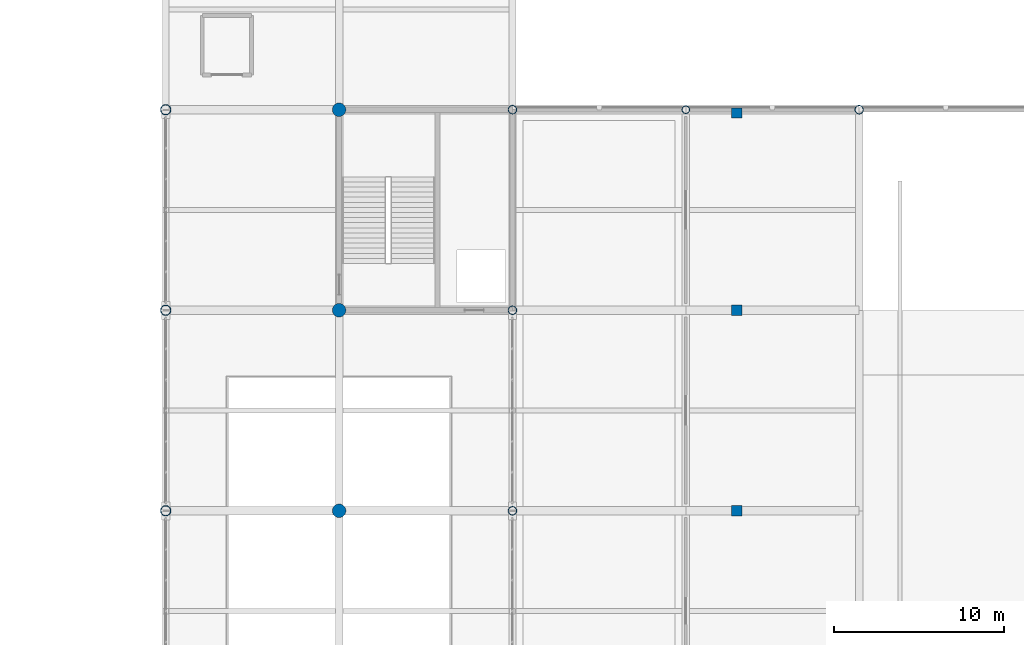
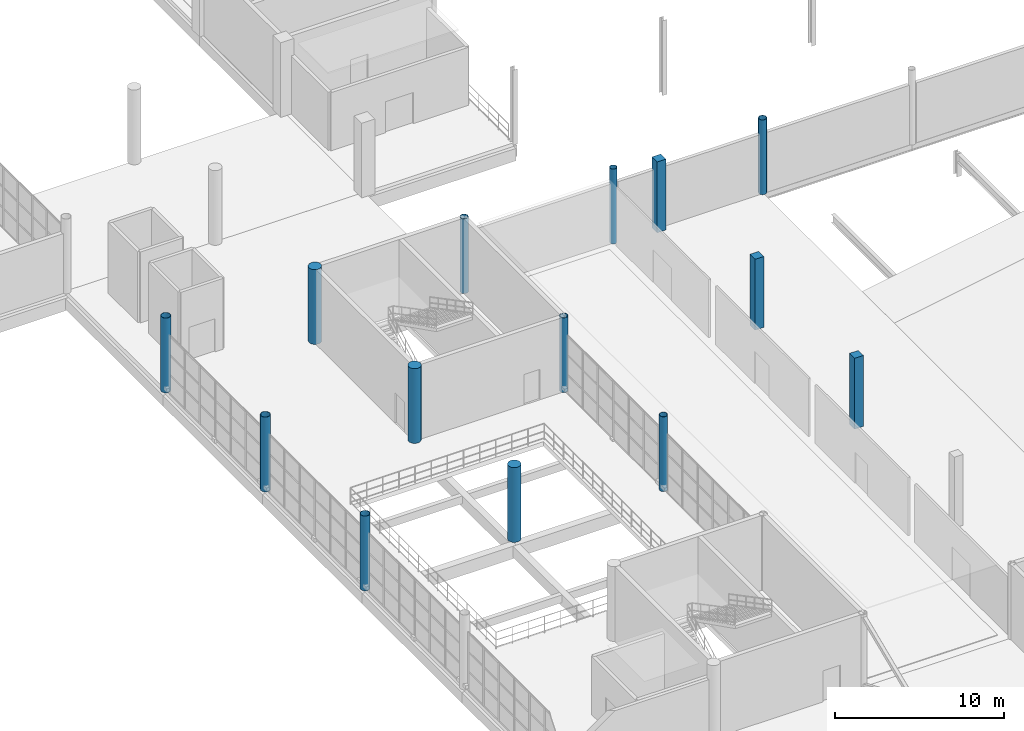
# One storey, part 13 of 175: 14 columns.
"""IFC4 building model written with IfcOpenShell, lengths in metres."""

from ifc_helpers import new_model, si_unit, direction, frame, origin, origin_2d, place, context, subcontext, project, spatial, rectangle, circle, hollow_circle, extrude, material, material_profile, profile_set, type_object, element, save


model = new_model("IFC4")

# Units and contexts
model_context = context("Model", 3, precision=1e-05, world=origin(), true_north=direction((0.0, 1.0)))
body_context = subcontext(model_context, "Body", "Model", "MODEL_VIEW")
ifc_project = project(units=[si_unit("LENGTHUNIT", "METRE"), si_unit("AREAUNIT", "SQUARE_METRE"), si_unit("VOLUMEUNIT", "CUBIC_METRE"), si_unit("PLANEANGLEUNIT", "RADIAN"), si_unit("MASSUNIT", "GRAM", prefix="KILO")], contexts=[model_context])

# Site, building, storey
site_placement = place(None, origin())
site = spatial("IfcSite", under=ifc_project, at=site_placement, CompositionType="ELEMENT")
building_placement = place(site_placement, origin())
building = spatial("IfcBuilding", under=site, at=building_placement, Name="Brelvane Convention Centre", CompositionType="ELEMENT")
storey_placement = place(building_placement, frame((0.0, 0.0, 5.39990234375)))
storey = spatial("IfcBuildingStorey", under=building, at=storey_placement, Name="L01", CompositionType="ELEMENT", Elevation=5.39990234375)

# Columns
ifc_material_1 = material(Name="Concrete M50", Category="concrete")
ifc_material_profile_1 = material_profile(ifc_material_1, rectangle(XDim=0.60009765625, YDim=0.60009765625, at=origin_2d()), Name="RC 600x600")
ifc_profile_set_1 = profile_set([ifc_material_profile_1], Name="Concrete M50")
column_type_1 = type_object("IfcColumnType", Name="RC Column C-RC4 (RC 600x600)", PredefinedType="COLUMN", material=ifc_profile_set_1)
for number, where, z_axis, x_axis, name in (
    (1, (176.39990234375, 64.199951171875, 0.0), (0.0, 0.0, 1.0), (1.0, 0.0, 0.0), "Plenary Gallery L01 Column 7"),
    (2, (176.39990234375, 76.0, 0.0), (0.0, 0.0, 1.0), (1.0, 0.0, 0.0), "Plenary Gallery L01 Column 8"),
    (3, (176.39990234375, 87.60009765625, 0.0), (0.0, 0.0, 1.0), (1.0, 0.0, 0.0), "Plenary Gallery L01 Column 9"),
):
    element("IfcColumn", number, at=place(storey_placement, frame(where, z_axis=z_axis, x_axis=x_axis)), inside=storey, type_object=column_type_1, Name=name, PredefinedType="COLUMN", context=body_context, shape_type="SweptSolid", body=[
        extrude(rectangle(XDim=0.60009765625, YDim=0.60009765625, at=origin_2d()), origin(), (0.0, 0.0, 1.0), 5.1201171875),
    ])
ifc_material_2 = material(Name="Concrete M50", Category="concrete")
ifc_material_profile_2 = material_profile(ifc_material_2, circle(Radius=0.39990234375, at=origin_2d()), Name="RC-CIRC D800")
ifc_profile_set_2 = profile_set([ifc_material_profile_2], Name="Concrete M50")
column_type_2 = type_object("IfcColumnType", Name="RC Column C-RC7 (RC-CIRC D800)", PredefinedType="COLUMN", material=ifc_profile_set_2)
for number, where, z_axis, x_axis, name in (
    (4, (153.0, 64.199951171875, 0.0), (0.0, 0.0, 1.0), (1.0, 0.0, 0.0), "Column 16-G (L01)"),
    (5, (153.0, 76.0, 0.0), (0.0, 0.0, 1.0), (1.0, 0.0, 0.0), "Column 16-H (L01)"),
    (6, (153.0, 87.800048828125, 0.0), (0.0, 0.0, 1.0), (1.0, 0.0, 0.0), "Column 16-J (L01)"),
):
    element("IfcColumn", number, at=place(storey_placement, frame(where, z_axis=z_axis, x_axis=x_axis)), inside=storey, type_object=column_type_2, Name=name, PredefinedType="COLUMN", context=body_context, shape_type="SweptSolid", body=[
        extrude(circle(Radius=0.39990234375, at=origin_2d()), origin(), (0.0, 0.0, 1.0), 5.400146484375),
    ])
ifc_material_3 = material(Name="Steel E450 (450 MPa)", Category="steel")
ifc_material_profile_3 = material_profile(ifc_material_3, hollow_circle(Radius=0.304931640625, WallThickness=0.02490234375, at=origin_2d()), Name="CHS 610.0x25.0")
ifc_profile_set_3 = profile_set([ifc_material_profile_3], Name="Steel E450 (450 MPa)")
column_type_3 = type_object("IfcColumnType", Name="Steel Column C-ST1 (CHS 610.0x25.0)", PredefinedType="COLUMN", material=ifc_profile_set_3)
for number, where, z_axis, x_axis, name in (
    (7, (142.800048828125, 64.199951171875, 0.0), (0.0, 0.0, 1.0), (1.0, 0.0, 0.0), "Column 15-G (L01)"),
    (8, (142.800048828125, 76.0, 0.0), (0.0, 0.0, 1.0), (1.0, 0.0, 0.0), "Column 15-H (L01)"),
    (9, (142.800048828125, 87.800048828125, 0.0), (0.0, 0.0, 1.0), (1.0, 0.0, 0.0), "Column 15-J (L01)"),
):
    element("IfcColumn", number, at=place(storey_placement, frame(where, z_axis=z_axis, x_axis=x_axis)), inside=storey, type_object=column_type_3, Name=name, PredefinedType="COLUMN", context=body_context, shape_type="SweptSolid", body=[
        extrude(hollow_circle(Radius=0.304931640625, WallThickness=0.02490234375, at=origin_2d()), origin(), (0.0, 0.0, 1.0), 5.400146484375),
    ])
ifc_material_4 = material(Name="Steel E450 (450 MPa)", Category="steel")
ifc_material_profile_4 = material_profile(ifc_material_4, hollow_circle(Radius=0.25390625, WallThickness=0.02001953125, at=origin_2d()), Name="CHS 508.0x20.0")
ifc_profile_set_4 = profile_set([ifc_material_profile_4], Name="Steel E450 (450 MPa)")
column_type_4 = type_object("IfcColumnType", Name="Steel Column C-ST2 (CHS 508.0x20.0)", PredefinedType="COLUMN", material=ifc_profile_set_4)
for number, where, z_axis, x_axis, name in (
    (10, (163.199951171875, 64.199951171875, 0.0), (0.0, 0.0, 1.0), (1.0, 0.0, 0.0), "Column 17-G (L01)"),
    (11, (163.199951171875, 76.0, 0.0), (0.0, 0.0, 1.0), (1.0, 0.0, 0.0), "Column 17-H (L01)"),
    (12, (163.199951171875, 87.800048828125, 0.0), (0.0, 0.0, 1.0), (1.0, 0.0, 0.0), "Column 17-J (L01)"),
    (13, (183.60009765625, 87.800048828125, 0.0), (0.0, 0.0, 1.0), (1.0, 0.0, 0.0), "Column 19-J (L01)"),
):
    element("IfcColumn", number, at=place(storey_placement, frame(where, z_axis=z_axis, x_axis=x_axis)), inside=storey, type_object=column_type_4, Name=name, PredefinedType="COLUMN", context=body_context, shape_type="SweptSolid", body=[
        extrude(hollow_circle(Radius=0.25390625, WallThickness=0.02001953125, at=origin_2d()), origin(), (0.0, 0.0, 1.0), 5.400146484375),
    ])
ifc_material_5 = material(Name="Steel E450 (450 MPa)", Category="steel")
ifc_material_profile_5 = material_profile(ifc_material_5, hollow_circle(Radius=0.228515625, WallThickness=0.02001953125, at=origin_2d()), Name="CHS 457.0x20.0")
ifc_profile_set_5 = profile_set([ifc_material_profile_5], Name="Steel E450 (450 MPa)")
column_type_5 = type_object("IfcColumnType", Name="Steel Column C-ST3 (CHS 457.0x20.0)", PredefinedType="COLUMN", material=ifc_profile_set_5)
column_placement = place(storey_placement, frame((173.39990234375, 87.800048828125, 0.0), z_axis=(0.0, 0.0, 1.0), x_axis=(1.0, 0.0, 0.0)))
element("IfcColumn", 14, at=column_placement, inside=storey, type_object=column_type_5, Name="Column 18-J (L01)", PredefinedType="COLUMN", context=body_context, shape_type="SweptSolid", body=[
    extrude(hollow_circle(Radius=0.228515625, WallThickness=0.02001953125, at=origin_2d()), origin(), (0.0, 0.0, 1.0), 5.400146484375),
])

save(model, "model.ifc")
